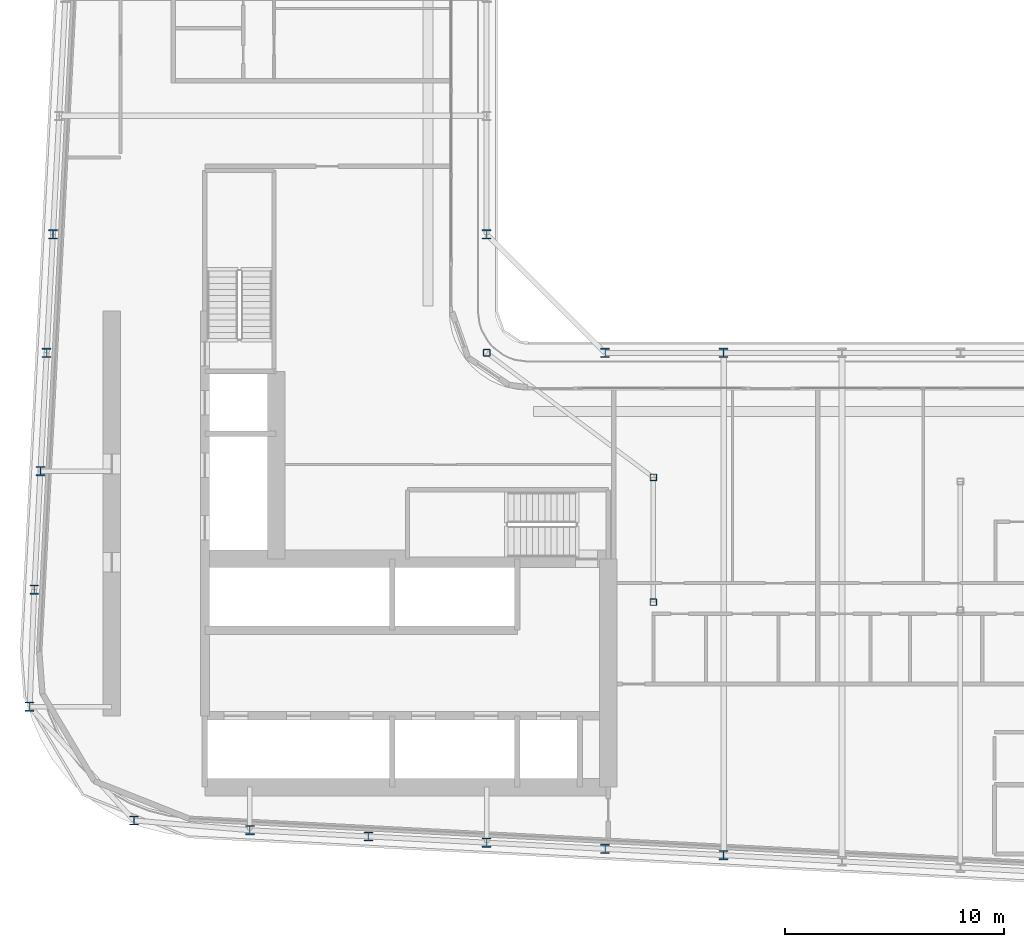
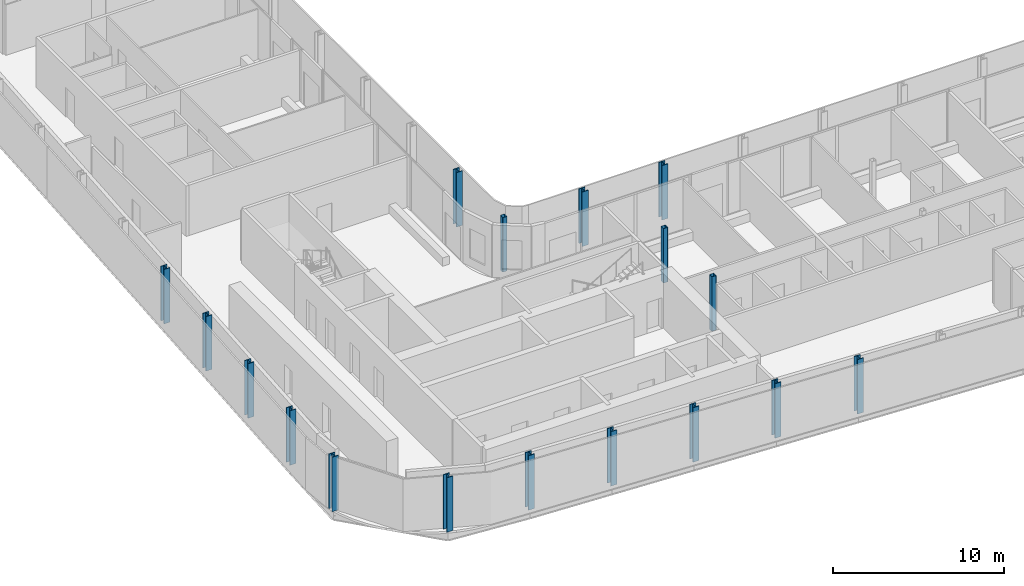
# One storey, part 1 of 26: 17 columns.
"""IFC4 building model written with IfcOpenShell, lengths in metres."""

from ifc_helpers import new_model, si_unit, direction, frame, origin, origin_2d, place, context, subcontext, project, spatial, hollow_rectangle, i_section, extrude, material, material_profile, profile_set, type_object, element, save


model = new_model("IFC4")

# Units and contexts
model_context = context("Model", 3, precision=1e-05, world=origin(), true_north=direction((0.0, 1.0)))
body_context = subcontext(model_context, "Body", "Model", "MODEL_VIEW")
ifc_project = project(units=[si_unit("LENGTHUNIT", "METRE"), si_unit("AREAUNIT", "SQUARE_METRE"), si_unit("VOLUMEUNIT", "CUBIC_METRE"), si_unit("PLANEANGLEUNIT", "RADIAN"), si_unit("MASSUNIT", "GRAM", prefix="KILO")], contexts=[model_context])

# Site, building, storey
site_placement = place(None, origin())
site = spatial("IfcSite", under=ifc_project, at=site_placement, CompositionType="ELEMENT")
building_placement = place(site_placement, origin())
building = spatial("IfcBuilding", under=site, at=building_placement, Name="Kheshtan School and Residences Tower", CompositionType="ELEMENT")
storey_placement = place(building_placement, frame((0.0, 0.0, 156.5)))
storey = spatial("IfcBuildingStorey", under=building, at=storey_placement, Name="L36", CompositionType="ELEMENT", Elevation=156.5)

# Columns
ifc_material_1 = material(Name="Steel ASTM A992 Grade 50", Category="steel")
ifc_material_profile_1 = material_profile(ifc_material_1, i_section(OverallWidth=0.408935546875, OverallDepth=0.425048828125, WebThickness=0.03271484375, FlangeThickness=0.052490234375, FilletRadius=0.0126953125, at=origin_2d()), Name="W360x421")
ifc_profile_set_1 = profile_set([ifc_material_profile_1], Name="Steel ASTM A992 Grade 50")
column_type_1 = type_object("IfcColumnType", Name="Column C3 W360x421 ASTM A992 Grade 50", PredefinedType="COLUMN", material=ifc_profile_set_1)
for number, where, z_axis, x_axis, name in (
    (1, (58.39990234375, 22.695068359375, 0.0), (0.0, 0.0, 1.0), (1.0, 0.0, 0.0), "Column C018"),
    (2, (53.0, 22.97998046875, 0.0), (0.0, 0.0, 1.0), (1.0, 0.0, 0.0), "Column C019"),
    (3, (47.60009765625, 23.263916015625, 0.0), (0.0, 0.0, 1.0), (1.0, 0.0, 0.0), "Column C020"),
    (4, (42.199951171875, 23.548095703125, 0.0), (0.0, 0.0, 1.0), (1.0, 0.0, 0.0), "Column C021"),
    (5, (36.800048828125, 23.83203125, 0.0), (0.0, 0.0, 1.0), (1.0, 0.0, 0.0), "Column C022"),
    (6, (31.52197265625, 24.27490234375, 0.0), (0.0, 0.0, 1.0), (1.0, 0.0, 0.0), "Column C028"),
    (7, (26.761962890625, 29.464111328125, 0.0), (0.0, 0.0, 1.0), (1.0, 0.0, 0.0), "Column C041"),
    (8, (26.968994140625, 34.800048828125, 0.0), (0.0, 0.0, 1.0), (1.0, 0.0, 0.0), "Column C052"),
    (9, (27.2529296875, 40.199951171875, 0.0), (0.0, 0.0, 1.0), (1.0, 0.0, 0.0), "Column C056"),
    (10, (27.537109375, 45.60009765625, 0.0), (0.0, 0.0, 1.0), (1.0, 0.0, 0.0), "Column C059"),
    (11, (53.0, 45.60009765625, 0.0), (0.0, 0.0, 1.0), (1.0, 0.0, 0.0), "Column C061"),
    (12, (58.39990234375, 45.60009765625, 0.0), (0.0, 0.0, 1.0), (1.0, 0.0, 0.0), "Column C062"),
    (13, (27.822021484375, 51.0, 0.0), (0.0, 0.0, 1.0), (1.0, 0.0, 0.0), "Column C078"),
    (14, (47.60009765625, 51.0, 0.0), (0.0, 0.0, 1.0), (1.0, 0.0, 0.0), "Column C079"),
):
    element("IfcColumn", number, at=place(storey_placement, frame(where, z_axis=z_axis, x_axis=x_axis)), inside=storey, type_object=column_type_1, Name=name, PredefinedType="COLUMN", context=body_context, shape_type="SweptSolid", body=[
        extrude(i_section(OverallWidth=0.408935546875, OverallDepth=0.425048828125, WebThickness=0.03271484375, FlangeThickness=0.052490234375, FilletRadius=0.0126953125, at=origin_2d()), origin(), (0.0, 0.0, 1.0), 3.89990234375),
    ])
ifc_material_2 = material(Name="Steel ASTM A500 Grade C", Category="steel")
ifc_material_profile_2 = material_profile(ifc_material_2, hollow_rectangle(XDim=0.304931640625, YDim=0.304931640625, WallThickness=0.015869140625, InnerFilletRadius=0.015869140625, OuterFilletRadius=0.03173828125, at=origin_2d()), Name="HSS 305x305x15.9")
ifc_profile_set_2 = profile_set([ifc_material_profile_2], Name="Steel ASTM A500 Grade C")
column_type_2 = type_object("IfcColumnType", Name="Column IC2 HSS 305x305x15.9 ASTM A500 Grade C", PredefinedType="COLUMN", material=ifc_profile_set_2)
for number, where, z_axis, x_axis, name in (
    (15, (55.199951171875, 34.23193359375, 0.0), (0.0, 0.0, 1.0), (1.0, 0.0, 0.0), "Column C051"),
    (16, (55.199951171875, 39.916015625, 0.0), (0.0, 0.0, 1.0), (1.0, 0.0, 0.0), "Column C055"),
    (17, (47.60009765625, 45.60009765625, 0.0), (0.0, 0.0, 1.0), (1.0, 0.0, 0.0), "Column C060"),
):
    element("IfcColumn", number, at=place(storey_placement, frame(where, z_axis=z_axis, x_axis=x_axis)), inside=storey, type_object=column_type_2, Name=name, PredefinedType="COLUMN", context=body_context, shape_type="SweptSolid", body=[
        extrude(hollow_rectangle(XDim=0.304931640625, YDim=0.304931640625, WallThickness=0.015869140625, InnerFilletRadius=0.015869140625, OuterFilletRadius=0.03173828125, at=origin_2d()), origin(), (0.0, 0.0, 1.0), 3.89990234375),
    ])

save(model, "model.ifc")
